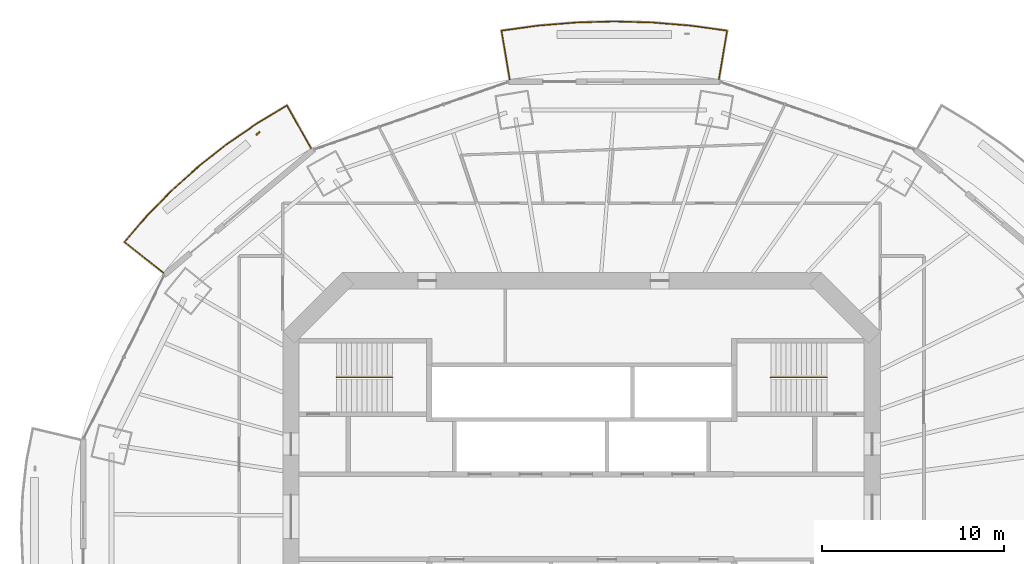
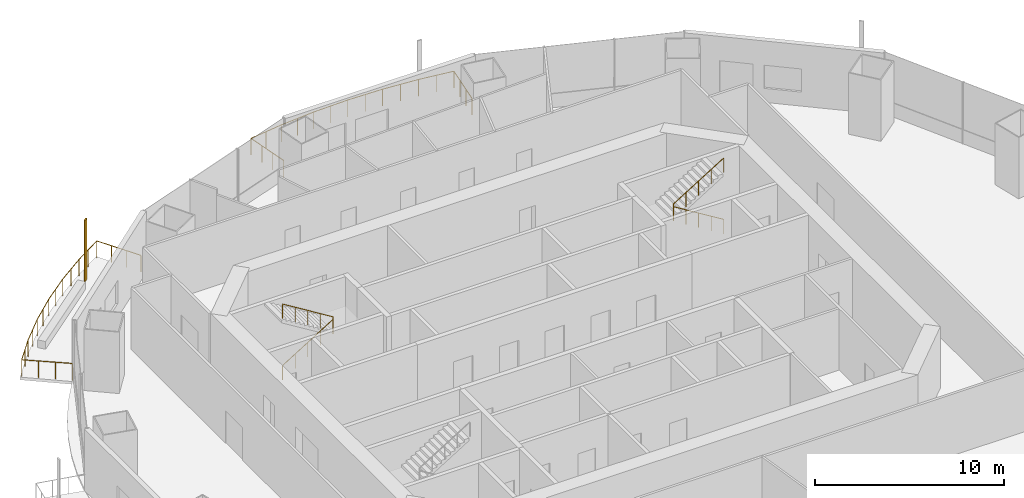
# One storey, part 17 of 19: 4 railings, 1 shading device.
"""IFC4 building model written with IfcOpenShell, lengths in metres."""

from ifc_helpers import new_model, si_unit, direction, frame, origin, origin_2d, place, context, subcontext, project, spatial, rectangle, circle, extrude, material, material_profile, profile_set, type_object, element, save


model = new_model("IFC4")

# Units and contexts
model_context = context("Model", 3, precision=1e-05, world=origin(), true_north=direction((0.0, 1.0)))
body_context = subcontext(model_context, "Body", "Model", "MODEL_VIEW")
ifc_project = project(units=[si_unit("LENGTHUNIT", "METRE"), si_unit("AREAUNIT", "SQUARE_METRE"), si_unit("VOLUMEUNIT", "CUBIC_METRE"), si_unit("PLANEANGLEUNIT", "RADIAN"), si_unit("MASSUNIT", "GRAM", prefix="KILO")], contexts=[model_context])

# Site, building, storey
site_placement = place(None, origin())
site = spatial("IfcSite", under=ifc_project, at=site_placement, CompositionType="ELEMENT")
building_placement = place(site_placement, origin())
building = spatial("IfcBuilding", under=site, at=building_placement, Name="Marenthal Gate Tower", CompositionType="ELEMENT")
storey_placement = place(building_placement, frame((0.0, 0.0, 252.35009765625)))
storey = spatial("IfcBuildingStorey", under=building, at=storey_placement, Name="L56", CompositionType="ELEMENT", Elevation=252.35009765625)

# Railings
ifc_material_1 = material(Name="Stainless steel", Category="steel")
railing_type_1 = type_object("IfcRailingType", Name="Balcony guard 1100", PredefinedType="GUARDRAIL", material=ifc_material_1)
railing_1_placement = place(storey_placement, frame((-3.958740234375, 24.083984375, 0.0)))
element("IfcRailing", 1, at=railing_1_placement, inside=storey, type_object=railing_type_1, Name="Balcony guard L56 bay 4", PredefinedType="GUARDRAIL", context=body_context, shape_type="SweptSolid", body=[
    extrude(circle(Radius=0.02392578125, at=origin_2d()), frame((0.0, 0.0, 1.076171875), z_axis=(-0.165050627973, 0.986175258386, -0.014719033707), x_axis=(-0.986282103159, -0.165068509984, 0.0)), (0.0, 0.0, 1.0), 2.72021484375),
    extrude(circle(Radius=0.02392578125, at=origin_2d()), frame((-0.448974609375, 2.6826171875, 1.0361328125), z_axis=(0.990661107933, 0.1363472377, 0.0), x_axis=(-0.1363472377, 0.990661107933, 0.0)), (0.0, 0.0, 1.0), 2.021484375),
    extrude(circle(Radius=0.02392578125, at=origin_2d()), frame((1.5537109375, 2.958251953125, 1.0361328125), z_axis=(0.996585629945, 0.082565623519, 0.0), x_axis=(-0.082565623519, 0.996585629945, 0.0)), (0.0, 0.0, 1.0), 2.105224609375),
    extrude(circle(Radius=0.02392578125, at=origin_2d()), frame((3.65185546875, 3.132080078125, 1.0361328125), z_axis=(0.999623123084, 0.02745199075, 0.0), x_axis=(-0.02745199075, 0.999623123084, 0.0)), (0.0, 0.0, 1.0), 2.107666015625),
    extrude(circle(Radius=0.02392578125, at=origin_2d()), frame((5.7587890625, 3.18994140625, 1.0361328125), z_axis=(0.999623123084, -0.02745199075, 0.0), x_axis=(0.02745199075, 0.999623123084, 0.0)), (0.0, 0.0, 1.0), 2.107666015625),
    extrude(circle(Radius=0.02392578125, at=origin_2d()), frame((7.86572265625, 3.132080078125, 1.0361328125), z_axis=(0.996585629945, -0.082565623519, 0.0), x_axis=(0.082565623519, 0.996585629945, 0.0)), (0.0, 0.0, 1.0), 2.105224609375),
    extrude(circle(Radius=0.02392578125, at=origin_2d()), frame((9.9638671875, 2.958251953125, 1.0361328125), z_axis=(0.990661107933, -0.1363472377, 0.0), x_axis=(0.1363472377, 0.990661107933, 0.0)), (0.0, 0.0, 1.0), 2.021484375),
    extrude(circle(Radius=0.02392578125, at=origin_2d()), frame((11.966552734375, 2.6826171875, 1.0361328125), z_axis=(-0.165050627973, -0.986175258386, 0.014719033707), x_axis=(0.986282103159, -0.165068509984, 0.0)), (0.0, 0.0, 1.0), 2.72021484375),
    extrude(circle(Radius=0.02099609375, at=origin_2d()), origin(), (0.0, 0.0, 1.0), 1.052001953125),
    extrude(circle(Radius=0.02099609375, at=origin_2d()), frame((-0.149658203125, 0.894287109375, -0.013427734375)), (0.0, 0.0, 1.0), 1.052001953125),
    extrude(circle(Radius=0.02099609375, at=origin_2d()), frame((-0.29931640625, 1.788330078125, -0.026611328125)), (0.0, 0.0, 1.0), 1.052001953125),
    extrude(circle(Radius=0.02099609375, at=origin_2d()), frame((-0.448974609375, 2.6826171875, -0.0400390625)), (0.0, 0.0, 1.0), 1.052001953125),
    extrude(circle(Radius=0.02099609375, at=origin_2d()), frame((0.55224609375, 2.8203125, -0.0400390625)), (0.0, 0.0, 1.0), 1.052001953125),
    extrude(circle(Radius=0.02099609375, at=origin_2d()), frame((1.5537109375, 2.958251953125, -0.0400390625)), (0.0, 0.0, 1.0), 1.052001953125),
    extrude(circle(Radius=0.02099609375, at=origin_2d()), frame((2.602783203125, 3.045166015625, -0.0400390625)), (0.0, 0.0, 1.0), 1.052001953125),
    extrude(circle(Radius=0.02099609375, at=origin_2d()), frame((3.65185546875, 3.132080078125, -0.0400390625)), (0.0, 0.0, 1.0), 1.052001953125),
    extrude(circle(Radius=0.02099609375, at=origin_2d()), frame((4.705322265625, 3.1611328125, -0.0400390625)), (0.0, 0.0, 1.0), 1.052001953125),
    extrude(circle(Radius=0.02099609375, at=origin_2d()), frame((5.7587890625, 3.18994140625, -0.0400390625)), (0.0, 0.0, 1.0), 1.052001953125),
    extrude(circle(Radius=0.02099609375, at=origin_2d()), frame((6.812255859375, 3.1611328125, -0.0400390625)), (0.0, 0.0, 1.0), 1.052001953125),
    extrude(circle(Radius=0.02099609375, at=origin_2d()), frame((7.86572265625, 3.132080078125, -0.0400390625)), (0.0, 0.0, 1.0), 1.052001953125),
    extrude(circle(Radius=0.02099609375, at=origin_2d()), frame((8.914794921875, 3.045166015625, -0.0400390625)), (0.0, 0.0, 1.0), 1.052001953125),
    extrude(circle(Radius=0.02099609375, at=origin_2d()), frame((9.9638671875, 2.958251953125, -0.0400390625)), (0.0, 0.0, 1.0), 1.052001953125),
    extrude(circle(Radius=0.02099609375, at=origin_2d()), frame((10.96533203125, 2.8203125, -0.0400390625)), (0.0, 0.0, 1.0), 1.052001953125),
    extrude(circle(Radius=0.02099609375, at=origin_2d()), frame((11.966552734375, 2.6826171875, -0.0400390625)), (0.0, 0.0, 1.0), 1.052001953125),
    extrude(circle(Radius=0.02099609375, at=origin_2d()), frame((11.81689453125, 1.788330078125, -0.026611328125)), (0.0, 0.0, 1.0), 1.052001953125),
    extrude(circle(Radius=0.02099609375, at=origin_2d()), frame((11.667236328125, 0.894287109375, -0.013427734375)), (0.0, 0.0, 1.0), 1.052001953125),
    extrude(circle(Radius=0.02099609375, at=origin_2d()), frame((11.517578125, 0.0, 0.0)), (0.0, 0.0, 1.0), 1.052001953125),
])
railing_2_placement = place(storey_placement, frame((-23.0302734375, 13.4375, 0.0)))
element("IfcRailing", 2, at=railing_2_placement, inside=storey, type_object=railing_type_1, Name="Balcony guard L56 bay 6", PredefinedType="GUARDRAIL", context=body_context, shape_type="SweptSolid", body=[
    extrude(circle(Radius=0.02392578125, at=origin_2d()), frame((0.0, 0.0, 1.076171875), z_axis=(-0.783055581805, 0.621777543925, -0.014718752483), x_axis=(-0.621844906334, -0.783140416826, 0.0)), (0.0, 0.0, 1.0), 2.72021484375),
    extrude(circle(Radius=0.02392578125, at=origin_2d()), frame((-2.130126953125, 1.69140625, 1.0361328125), z_axis=(0.649809223688, 0.760097344298, 0.0), x_axis=(-0.760097344298, 0.649809223688, 0.0)), (0.0, 0.0, 1.0), 1.864013671875),
    extrude(circle(Radius=0.02392578125, at=origin_2d()), frame((-0.9189453125, 3.108154296875, 1.0361328125), z_axis=(0.698521536326, 0.715589032398, 0.0), x_axis=(-0.715589032398, 0.698521536326, 0.0)), (0.0, 0.0, 1.0), 1.959716796875),
    extrude(circle(Radius=0.02392578125, at=origin_2d()), frame((0.449951171875, 4.510498046875, 1.0361328125), z_axis=(0.744141474821, 0.668022054614, 0.0), x_axis=(-0.668022054614, 0.744141474821, 0.0)), (0.0, 0.0, 1.0), 1.975830078125),
    extrude(circle(Radius=0.02392578125, at=origin_2d()), frame((1.920166015625, 5.830322265625, 1.0361328125), z_axis=(0.785663114819, 0.618654564367, 0.0), x_axis=(-0.618654564367, 0.785663114819, 0.0)), (0.0, 0.0, 1.0), 1.992431640625),
    extrude(circle(Radius=0.02392578125, at=origin_2d()), frame((3.485595703125, 7.06298828125, 1.0361328125), z_axis=(0.823118749267, 0.567869284787, 0.0), x_axis=(-0.567869284787, 0.823118749267, 0.0)), (0.0, 0.0, 1.0), 2.008544921875),
    extrude(circle(Radius=0.02392578125, at=origin_2d()), frame((5.138916015625, 8.20361328125, 1.0361328125), z_axis=(0.855893544478, 0.517152047778, 0.0), x_axis=(-0.517152047778, 0.855893544478, 0.0)), (0.0, 0.0, 1.0), 1.944580078125),
    extrude(circle(Radius=0.02392578125, at=origin_2d()), frame((6.80322265625, 9.209228515625, 1.0361328125), z_axis=(0.490003601749, -0.871596150217, 0.014718056902), x_axis=(0.871690568659, 0.490056682957, 0.0)), (0.0, 0.0, 1.0), 2.720458984375),
    extrude(circle(Radius=0.02099609375, at=origin_2d()), origin(), (0.0, 0.0, 1.0), 1.052001953125),
    extrude(circle(Radius=0.02099609375, at=origin_2d()), frame((-0.7099609375, 0.563720703125, -0.013427734375)), (0.0, 0.0, 1.0), 1.052001953125),
    extrude(circle(Radius=0.02099609375, at=origin_2d()), frame((-1.420166015625, 1.127685546875, -0.026611328125)), (0.0, 0.0, 1.0), 1.052001953125),
    extrude(circle(Radius=0.02099609375, at=origin_2d()), frame((-2.130126953125, 1.69140625, -0.0400390625)), (0.0, 0.0, 1.0), 1.052001953125),
    extrude(circle(Radius=0.02099609375, at=origin_2d()), frame((-1.5244140625, 2.39990234375, -0.0400390625)), (0.0, 0.0, 1.0), 1.052001953125),
    extrude(circle(Radius=0.02099609375, at=origin_2d()), frame((-0.9189453125, 3.108154296875, -0.0400390625)), (0.0, 0.0, 1.0), 1.052001953125),
    extrude(circle(Radius=0.02099609375, at=origin_2d()), frame((-0.234375, 3.809326171875, -0.0400390625)), (0.0, 0.0, 1.0), 1.052001953125),
    extrude(circle(Radius=0.02099609375, at=origin_2d()), frame((0.449951171875, 4.510498046875, -0.0400390625)), (0.0, 0.0, 1.0), 1.052001953125),
    extrude(circle(Radius=0.02099609375, at=origin_2d()), frame((1.18505859375, 5.17041015625, -0.0400390625)), (0.0, 0.0, 1.0), 1.052001953125),
    extrude(circle(Radius=0.02099609375, at=origin_2d()), frame((1.920166015625, 5.830322265625, -0.0400390625)), (0.0, 0.0, 1.0), 1.052001953125),
    extrude(circle(Radius=0.02099609375, at=origin_2d()), frame((2.702880859375, 6.44677734375, -0.0400390625)), (0.0, 0.0, 1.0), 1.052001953125),
    extrude(circle(Radius=0.02099609375, at=origin_2d()), frame((3.485595703125, 7.06298828125, -0.0400390625)), (0.0, 0.0, 1.0), 1.052001953125),
    extrude(circle(Radius=0.02099609375, at=origin_2d()), frame((4.312255859375, 7.63330078125, -0.0400390625)), (0.0, 0.0, 1.0), 1.052001953125),
    extrude(circle(Radius=0.02099609375, at=origin_2d()), frame((5.138916015625, 8.20361328125, -0.0400390625)), (0.0, 0.0, 1.0), 1.052001953125),
    extrude(circle(Radius=0.02099609375, at=origin_2d()), frame((5.97119140625, 8.70654296875, -0.0400390625)), (0.0, 0.0, 1.0), 1.052001953125),
    extrude(circle(Radius=0.02099609375, at=origin_2d()), frame((6.80322265625, 9.209228515625, -0.0400390625)), (0.0, 0.0, 1.0), 1.052001953125),
    extrude(circle(Radius=0.02099609375, at=origin_2d()), frame((7.24755859375, 8.4189453125, -0.026611328125)), (0.0, 0.0, 1.0), 1.052001953125),
    extrude(circle(Radius=0.02099609375, at=origin_2d()), frame((7.69189453125, 7.62841796875, -0.013427734375)), (0.0, 0.0, 1.0), 1.052001953125),
    extrude(circle(Radius=0.02099609375, at=origin_2d()), frame((8.13623046875, 6.838134765625, 0.0)), (0.0, 0.0, 1.0), 1.052001953125),
])
ifc_material_2 = material(Name="Stainless steel", Category="steel")
railing_type_2 = type_object("IfcRailingType", Name="Stair handrail", PredefinedType="HANDRAIL", material=ifc_material_2)
railing_3_placement = place(storey_placement, frame((-13.5, 7.675048828125, 0.1728515625)))
element("IfcRailing", 3, at=railing_3_placement, inside=storey, type_object=railing_type_2, Name="Handrail ST1", PredefinedType="HANDRAIL", context=body_context, shape_type="SweptSolid", body=[
    extrude(circle(Radius=0.0224609375, at=origin_2d()), frame((0.0, 0.0, 0.927490234375), z_axis=(0.850835241893, 0.0, 0.525432575268), x_axis=(0.0, 1.0, 0.0)), (0.0, 0.0, 1.0), 3.6201171875),
    extrude(circle(Radius=0.0224609375, at=origin_2d()), frame((3.080078125, 0.0, 2.82958984375), z_axis=(0.0, 0.0, 1.0), x_axis=(1.0, 0.0, 0.0)), (0.0, 0.0, 1.0), 0.1728515625),
    extrude(circle(Radius=0.0224609375, at=origin_2d()), frame((3.080078125, 0.0, 3.00244140625), z_axis=(-0.850835241893, 0.0, 0.525432575268), x_axis=(0.0, -1.0, 0.0)), (0.0, 0.0, 1.0), 3.6201171875),
    extrude(circle(Radius=0.02001953125, at=origin_2d()), origin(), (0.0, 0.0, 1.0), 0.905029296875),
    extrude(circle(Radius=0.02001953125, at=origin_2d()), frame((0.77001953125, 0.0, 0.4755859375)), (0.0, 0.0, 1.0), 0.905029296875),
    extrude(circle(Radius=0.02001953125, at=origin_2d()), frame((1.5400390625, 0.0, 0.951171875)), (0.0, 0.0, 1.0), 0.905029296875),
    extrude(circle(Radius=0.02001953125, at=origin_2d()), frame((2.31005859375, 0.0, 1.426513671875)), (0.0, 0.0, 1.0), 0.905029296875),
    extrude(circle(Radius=0.02001953125, at=origin_2d()), frame((3.080078125, 0.0, 1.902099609375)), (0.0, 0.0, 1.0), 0.905029296875),
    extrude(circle(Radius=0.02001953125, at=origin_2d()), frame((3.080078125, 0.0, 2.074951171875)), (0.0, 0.0, 1.0), 0.905029296875),
    extrude(circle(Radius=0.02001953125, at=origin_2d()), frame((2.31005859375, 0.0, 2.550537109375)), (0.0, 0.0, 1.0), 0.905029296875),
    extrude(circle(Radius=0.02001953125, at=origin_2d()), frame((1.5400390625, 0.0, 3.02587890625)), (0.0, 0.0, 1.0), 0.905029296875),
    extrude(circle(Radius=0.02001953125, at=origin_2d()), frame((0.77001953125, 0.0, 3.50146484375)), (0.0, 0.0, 1.0), 0.905029296875),
    extrude(circle(Radius=0.02001953125, at=origin_2d()), frame((0.0, 0.0, 3.97705078125)), (0.0, 0.0, 1.0), 0.905029296875),
])
railing_4_placement = place(storey_placement, frame((13.5, 7.675048828125, 0.1728515625)))
element("IfcRailing", 4, at=railing_4_placement, inside=storey, type_object=railing_type_2, Name="Handrail ST3", PredefinedType="HANDRAIL", context=body_context, shape_type="SweptSolid", body=[
    extrude(circle(Radius=0.0224609375, at=origin_2d()), frame((0.0, 0.0, 0.927490234375), z_axis=(-0.850835241893, 0.0, 0.525432575268), x_axis=(0.0, -1.0, 0.0)), (0.0, 0.0, 1.0), 3.6201171875),
    extrude(circle(Radius=0.0224609375, at=origin_2d()), frame((-3.080078125, 0.0, 2.82958984375), z_axis=(0.0, 0.0, 1.0), x_axis=(1.0, 0.0, 0.0)), (0.0, 0.0, 1.0), 0.1728515625),
    extrude(circle(Radius=0.0224609375, at=origin_2d()), frame((-3.080078125, 0.0, 3.00244140625), z_axis=(0.850835241893, 0.0, 0.525432575268), x_axis=(0.0, 1.0, 0.0)), (0.0, 0.0, 1.0), 3.6201171875),
    extrude(circle(Radius=0.02001953125, at=origin_2d()), origin(), (0.0, 0.0, 1.0), 0.905029296875),
    extrude(circle(Radius=0.02001953125, at=origin_2d()), frame((-0.77001953125, 0.0, 0.4755859375)), (0.0, 0.0, 1.0), 0.905029296875),
    extrude(circle(Radius=0.02001953125, at=origin_2d()), frame((-1.5400390625, 0.0, 0.951171875)), (0.0, 0.0, 1.0), 0.905029296875),
    extrude(circle(Radius=0.02001953125, at=origin_2d()), frame((-2.31005859375, 0.0, 1.426513671875)), (0.0, 0.0, 1.0), 0.905029296875),
    extrude(circle(Radius=0.02001953125, at=origin_2d()), frame((-3.080078125, 0.0, 1.902099609375)), (0.0, 0.0, 1.0), 0.905029296875),
    extrude(circle(Radius=0.02001953125, at=origin_2d()), frame((-3.080078125, 0.0, 2.074951171875)), (0.0, 0.0, 1.0), 0.905029296875),
    extrude(circle(Radius=0.02001953125, at=origin_2d()), frame((-2.31005859375, 0.0, 2.550537109375)), (0.0, 0.0, 1.0), 0.905029296875),
    extrude(circle(Radius=0.02001953125, at=origin_2d()), frame((-1.5400390625, 0.0, 3.02587890625)), (0.0, 0.0, 1.0), 0.905029296875),
    extrude(circle(Radius=0.02001953125, at=origin_2d()), frame((-0.77001953125, 0.0, 3.50146484375)), (0.0, 0.0, 1.0), 0.905029296875),
    extrude(circle(Radius=0.02001953125, at=origin_2d()), frame((0.0, 0.0, 3.97705078125)), (0.0, 0.0, 1.0), 0.905029296875),
])

# Shading device
ifc_material_3 = material(Name="Terracotta", Category="masonry")
ifc_material_profile = material_profile(ifc_material_3, rectangle(XDim=0.25, YDim=0.080078125, at=origin_2d()), Name="Terracotta baguette 250x80")
ifc_profile_set = profile_set([ifc_material_profile], Name="Terracotta")
shading_device_type = type_object("IfcShadingDeviceType", Name="Terracotta BAGUETTE SCREEN 250x80", PredefinedType="USERDEFINED", material=ifc_profile_set)
shading_device_placement = place(storey_placement, frame((-17.817626953125, 21.109619140625, -0.0400390625), z_axis=(0.0, 0.0, 1.0), x_axis=(-0.765398416376, -0.643556729597, 0.0)))
element("IfcShadingDevice", 5, at=shading_device_placement, inside=storey, type_object=shading_device_type, Name="Terracotta BAGUETTE L56 bay 6L", ObjectType="BAGUETTE SCREEN", PredefinedType="USERDEFINED", context=body_context, shape_type="SweptSolid", body=[
    extrude(rectangle(XDim=0.25, YDim=0.080078125, at=origin_2d()), origin(), (0.0, 0.0, 1.0), 3.969970703125),
])

save(model, "model.ifc")
